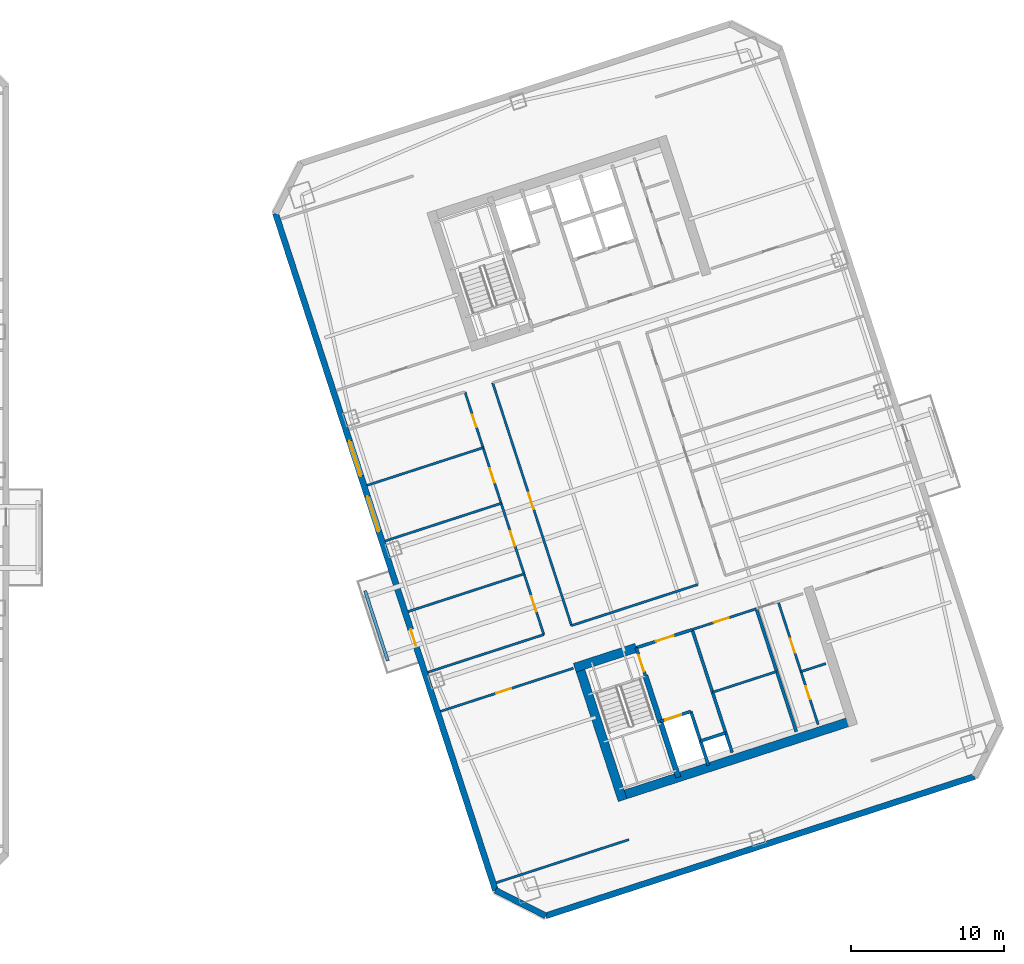
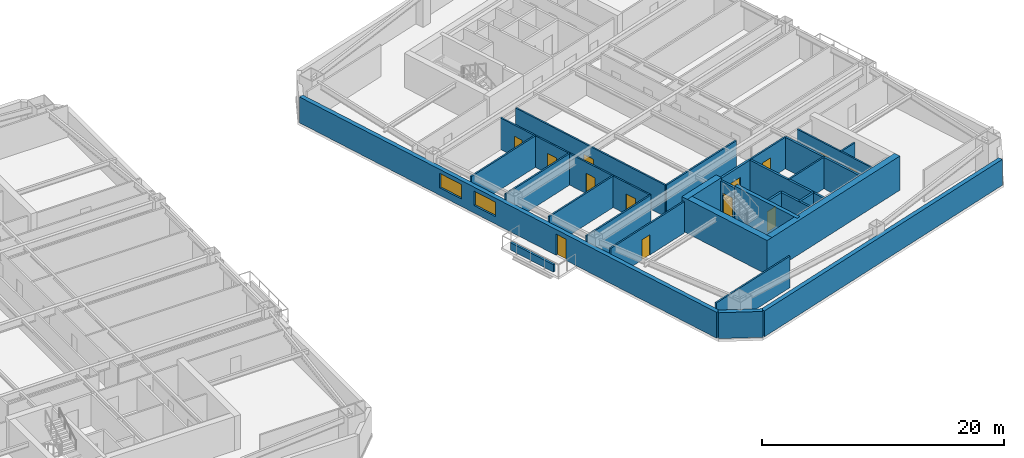
# One storey, part 7 of 14: 28 walls, 13 doors, 2 windows, 15 openings.
"""IFC4 building model written with IfcOpenShell, lengths in metres."""

from ifc_helpers import new_model, si_unit, direction, frame, frame_2d, origin, place, context, subcontext, project, spatial, rectangle, extrude, material, layer, layer_set, type_object, element, fill, save


model = new_model("IFC4")

# Units and contexts
model_context = context("Model", 3, precision=1e-05, world=origin(), true_north=direction((0.0, 1.0)))
body_context = subcontext(model_context, "Body", "Model", "MODEL_VIEW")
ifc_project = project(units=[si_unit("LENGTHUNIT", "METRE"), si_unit("AREAUNIT", "SQUARE_METRE"), si_unit("VOLUMEUNIT", "CUBIC_METRE"), si_unit("PLANEANGLEUNIT", "RADIAN"), si_unit("MASSUNIT", "GRAM", prefix="KILO")], contexts=[model_context])

# Site, building, storey
site_placement = place(None, origin())
site = spatial("IfcSite", under=ifc_project, at=site_placement, CompositionType="ELEMENT")
building_placement = place(site_placement, origin())
building = spatial("IfcBuilding", under=site, at=building_placement, Name="Qiaolan Cultural Towers", CompositionType="ELEMENT")
storey_placement = place(building_placement, frame((0.0, 0.0, 103.5)))
storey = spatial("IfcBuildingStorey", under=building, at=storey_placement, Name="L26", CompositionType="ELEMENT", Elevation=103.5)

# Walls
ifc_material_1 = material(Name="Concrete C50", Category="concrete")
ifc_layer_1 = layer(ifc_material_1, 0.35009765625)
ifc_layer_set_1 = layer_set([ifc_layer_1], Name="Concrete C50")
wall_type_1 = type_object("IfcWallType", Name="WL-CORE-350", PredefinedType="SHEAR", material=ifc_layer_set_1)
wall_1_placement = place(storey_placement, frame((90.486328125, 20.59423828125, 0.0), z_axis=(0.0, 0.0, 1.0), x_axis=(0.309020428229, -0.951055400562, 0.0)))
element("IfcWall", 1, at=wall_1_placement, inside=storey, type_object=wall_type_1, Name="L26 T2-CS Stair Core Dividing Web", PredefinedType="SHEAR", context=body_context, shape_type="SweptSolid", body=[
    extrude(rectangle(XDim=6.97998046875, YDim=0.35009765625, at=frame_2d((3.489990234375, 0.0))), origin(), (0.0, 0.0, 1.0), 3.449951171875),
])
ifc_material_2 = material(Name="Concrete C55", Category="concrete")
ifc_layer_2 = layer(ifc_material_2, 0.60009765625)
ifc_layer_set_2 = layer_set([ifc_layer_2], Name="Concrete C55")
wall_type_2 = type_object("IfcWallType", Name="WL-CORE-600", PredefinedType="SHEAR", material=ifc_layer_set_2)
wall_2_placement = place(storey_placement, frame((88.6298828125, 12.65185546875, 0.0), z_axis=(0.0, 0.0, 1.0), x_axis=(0.95105714907, 0.309015046886, 0.0)))
element("IfcWall", 2, at=wall_2_placement, inside=storey, type_object=wall_type_2, Name="L26 T2-CS Outer Core Shear Wall", PredefinedType="SHEAR", context=body_context, shape_type="SweptSolid", body=[
    extrude(rectangle(XDim=16.400146484375, YDim=0.60009765625, at=frame_2d((8.2001953125, 0.0))), origin(), (0.0, 0.0, 1.0), 3.449951171875),
])
wall_3_placement = place(storey_placement, frame((86.078369140625, 21.47509765625, 0.0), z_axis=(0.0, 0.0, 1.0), x_axis=(0.309017938678, -0.951056209472, 0.0)))
element("IfcWall", 3, at=wall_3_placement, inside=storey, type_object=wall_type_2, Name="L26 T2-CS West Core Shear Wall", PredefinedType="SHEAR", context=body_context, shape_type="SweptSolid", body=[
    extrude(rectangle(XDim=9.479736328125, YDim=0.60009765625, at=frame_2d((4.73974609375, 0.0))), origin(), (0.0, 0.0, 1.0), 3.449951171875),
])
wall_4_placement = place(storey_placement, frame((85.8857421875, 21.09716796875, 0.0), z_axis=(0.0, 0.0, 1.0), x_axis=(0.951068073652, 0.308981422225, 0.0)))
element("IfcWall", 4, at=wall_4_placement, inside=storey, type_object=wall_type_2, Name="L26 T2-CS Stair Front Shear Wall", PredefinedType="SHEAR", context=body_context, shape_type="SweptSolid", body=[
    extrude(rectangle(XDim=4.22021484375, YDim=0.60009765625, at=frame_2d((2.110107421875, 0.0))), origin(), (0.0, 0.0, 1.0), 3.449951171875),
])

# Wall, openings, door, windows
ifc_material_3 = material(Name="Precast Concrete C50 Honed Stone Pier", Category="masonry")
ifc_layer_3 = layer(ifc_material_3, 0.39990234375)
ifc_layer_set_3 = layer_set([ifc_layer_3], Name="Precast Concrete C50 Honed Stone Pier")
wall_type_3 = type_object("IfcWallType", Name="WL-EXT-PIER-400", PredefinedType="SOLIDWALL", material=ifc_layer_set_3)
wall_5_placement = place(storey_placement, frame((80.7158203125, 6.589599609375, 0.0), z_axis=(0.0, 0.0, 1.0), x_axis=(-0.309017542002, 0.95105633836, 0.0)))
wall_5 = element("IfcWall", 5, at=wall_5_placement, inside=storey, type_object=wall_type_3, Name="L26 East Tower Precast Pier Facade Wall F1", PredefinedType="SOLIDWALL", context=body_context, shape_type="SweptSolid", body=[
    extrude(rectangle(XDim=46.39990234375, YDim=0.39990234375, at=frame_2d((23.199951171875, 0.0))), origin(), (0.0, 0.0, 1.0), 2.610107421875),
])
opening_1_placement = place(wall_5_placement, frame((24.60009765625, 0.0, 0.75)))
opening_1 = element("IfcOpeningElement", 6, at=opening_1_placement, cuts=wall_5, Name="Opening W-02", PredefinedType="OPENING", context=body_context, shape_type="SweptSolid", body=[
    extrude(rectangle(XDim=2.39990234375, YDim=1.4599609375, at=frame_2d((1.199951171875, 0.72998046875))), frame((0.0, 0.2099609375, 0.0), z_axis=(0.0, -1.0, 0.0), x_axis=(1.0, 0.0, 0.0)), (0.0, 0.0, 1.0), 0.419921875),
])
opening_2_placement = place(wall_5_placement, frame((28.39990234375, 0.0, 0.75)))
opening_2 = element("IfcOpeningElement", 7, at=opening_2_placement, cuts=wall_5, Name="Opening W-02", PredefinedType="OPENING", context=body_context, shape_type="SweptSolid", body=[
    extrude(rectangle(XDim=2.39990234375, YDim=1.4599609375, at=frame_2d((1.199951171875, 0.72998046875))), frame((0.0, 0.2099609375, 0.0), z_axis=(0.0, -1.0, 0.0), x_axis=(1.0, 0.0, 0.0)), (0.0, 0.0, 1.0), 0.419921875),
])
opening_3_placement = place(wall_5_placement, frame((16.77001953125, 0.0, 0.0)))
opening_3 = element("IfcOpeningElement", 8, at=opening_3_placement, cuts=wall_5, Name="Opening BD-01", PredefinedType="OPENING", context=body_context, shape_type="SweptSolid", body=[
    extrude(rectangle(XDim=1.10009765625, YDim=2.14990234375, at=frame_2d((0.550048828125, 1.074951171875))), frame((0.0, 0.2099609375, 0.0), z_axis=(0.0, -1.0, 0.0), x_axis=(1.0, 0.0, 0.0)), (0.0, 0.0, 1.0), 0.419921875),
])
ifc_material_4 = material(Name="Thermally Broken Aluminium Glazed Terrace Door", Category="aluminium")
door_type_1 = type_object("IfcDoorType", Name="DR-BAL-1100", OperationType="NOTDEFINED", PredefinedType="DOOR", material=ifc_material_4)
door_1_placement = place(opening_3_placement, origin())
door_1 = element("IfcDoor", 9, at=door_1_placement, inside=storey, type_object=door_type_1, Name="L26 T2 West Tree Balcony Door", OperationType="SINGLE_SWING_LEFT", OverallHeight=2.14990234375, OverallWidth=1.10009765625, PredefinedType="DOOR", context=body_context, shape_type="SweptSolid", body=[
    extrude(rectangle(XDim=1.10009765625, YDim=2.14990234375, at=frame_2d((0.550048828125, 1.074951171875))), frame((0.0, 0.02490234375, 0.0), z_axis=(0.0, -1.0, 0.0), x_axis=(1.0, 0.0, 0.0)), (0.0, 0.0, 1.0), 0.050048828125),
])
fill(opening_3, door_1)
ifc_material_5 = material(Name="Thermally Broken Aluminium Triple Low-E Glazing", Category="aluminium")
window_type = type_object("IfcWindowType", Name="WN-CHIC-2400", PartitioningType="SINGLE_PANEL", PredefinedType="WINDOW", material=ifc_material_5)
window_1_placement = place(opening_1_placement, origin())
window_1 = element("IfcWindow", 10, at=window_1_placement, inside=storey, type_object=window_type, Name="L26 T2 W Chicago Bay Window 1", OverallHeight=1.4599609375, OverallWidth=2.39990234375, PartitioningType="TRIPLE_PANEL_VERTICAL", PredefinedType="WINDOW", context=body_context, shape_type="SweptSolid", body=[
    extrude(rectangle(XDim=2.39990234375, YDim=1.4599609375, at=frame_2d((1.199951171875, 0.72998046875))), frame((0.0, 0.030029296875, 0.0), z_axis=(0.0, -1.0, 0.0), x_axis=(1.0, 0.0, 0.0)), (0.0, 0.0, 1.0), 0.06005859375),
])
fill(opening_1, window_1)
window_2_placement = place(opening_2_placement, origin())
window_2 = element("IfcWindow", 11, at=window_2_placement, inside=storey, type_object=window_type, Name="L26 T2 W Chicago Bay Window 2", OverallHeight=1.4599609375, OverallWidth=2.39990234375, PartitioningType="TRIPLE_PANEL_VERTICAL", PredefinedType="WINDOW", context=body_context, shape_type="SweptSolid", body=[
    extrude(rectangle(XDim=2.39990234375, YDim=1.4599609375, at=frame_2d((1.199951171875, 0.72998046875))), frame((0.0, 0.030029296875, 0.0), z_axis=(0.0, -1.0, 0.0), x_axis=(1.0, 0.0, 0.0)), (0.0, 0.0, 1.0), 0.06005859375),
])
fill(opening_2, window_2)

# Walls
wall_6_placement = place(storey_placement, frame((111.953125, 14.00537109375, 0.0), z_axis=(0.0, 0.0, 1.0), x_axis=(-0.95105505922, -0.309021478754, 0.0)))
element("IfcWall", 12, at=wall_6_placement, inside=storey, type_object=wall_type_3, Name="L26 East Tower Precast Pier Facade Wall F7", PredefinedType="SOLIDWALL", context=body_context, shape_type="SweptSolid", body=[
    extrude(rectangle(XDim=29.39990234375, YDim=0.39990234375, at=frame_2d((14.699951171875, 0.0))), origin(), (0.0, 0.0, 1.0), 2.610107421875),
])
wall_7_placement = place(storey_placement, frame((83.9921875, 4.920166015625, 0.0), z_axis=(0.0, 0.0, 1.0), x_axis=(-0.891001999643, 0.45399937955, 0.0)))
element("IfcWall", 13, at=wall_7_placement, inside=storey, type_object=wall_type_3, Name="L26 East Tower Precast Pier Facade Wall F8", PredefinedType="SOLIDWALL", context=body_context, shape_type="SweptSolid", body=[
    extrude(rectangle(XDim=3.67724609375, YDim=0.39990234375, at=frame_2d((1.838623046875, 0.0))), origin(), (0.0, 0.0, 1.0), 2.610107421875),
])

# Wall, opening, door
ifc_material_6 = material(Name="Concrete C35 Fire Wall", Category="concrete")
ifc_layer_4 = layer(ifc_material_6, 0.199951171875)
ifc_layer_set_4 = layer_set([ifc_layer_4], Name="Concrete C35 Fire Wall")
wall_type_4 = type_object("IfcWallType", Name="WL-FIRE-200", PredefinedType="PARTITIONING", material=ifc_layer_set_4)
wall_8_placement = place(storey_placement, frame((89.8994140625, 22.401123046875, 0.0), z_axis=(0.0, 0.0, 1.0), x_axis=(0.308932062672, -0.951084108086, 0.0)))
wall_8 = element("IfcWall", 14, at=wall_8_placement, inside=storey, type_object=wall_type_4, Name="L26 T2-CS Smokeproof Stair Entry Wall", PredefinedType="PARTITIONING", context=body_context, shape_type="SweptSolid", body=[
    extrude(rectangle(XDim=1.89990234375, YDim=0.199951171875, at=frame_2d((0.949951171875, 0.0))), origin(), (0.0, 0.0, 1.0), 3.175048828125),
])
opening_4_placement = place(wall_8_placement, frame((0.52001953125, 0.0, 0.0)))
opening_4 = element("IfcOpeningElement", 15, at=opening_4_placement, cuts=wall_8, Name="Opening FD-04", PredefinedType="OPENING", context=body_context, shape_type="SweptSolid", body=[
    extrude(rectangle(XDim=1.10009765625, YDim=2.050048828125, at=frame_2d((0.550048828125, 1.02490234375))), frame((0.0, 0.10986328125, 0.0), z_axis=(0.0, -1.0, 0.0), x_axis=(1.0, 0.0, 0.0)), (0.0, 0.0, 1.0), 0.219970703125),
])
ifc_material_7 = material(Name="Galvanized Steel Command Fire Door", Category="steel")
door_type_2 = type_object("IfcDoorType", Name="DR-FD90-1100", OperationType="NOTDEFINED", PredefinedType="DOOR", material=ifc_material_7)
door_2_placement = place(opening_4_placement, origin())
door_2 = element("IfcDoor", 16, at=door_2_placement, inside=storey, type_object=door_type_2, Name="L26 ST-E1 Smokeproof Stair Fire Door", OperationType="SINGLE_SWING_LEFT", OverallHeight=2.050048828125, OverallWidth=1.10009765625, PredefinedType="DOOR", context=body_context, shape_type="SweptSolid", body=[
    extrude(rectangle(XDim=1.10009765625, YDim=2.050048828125, at=frame_2d((0.550048828125, 1.02490234375))), frame((0.0, 0.02490234375, 0.0), z_axis=(0.0, -1.0, 0.0), x_axis=(1.0, 0.0, 0.0)), (0.0, 0.0, 1.0), 0.050048828125),
])
fill(opening_4, door_2)

# Wall
wall_9_placement = place(storey_placement, frame((93.541748046875, 23.584716796875, 0.0), z_axis=(0.0, 0.0, 1.0), x_axis=(0.309042196757, -0.951048327176, 0.0)))
element("IfcWall", 17, at=wall_9_placement, inside=storey, type_object=wall_type_4, Name="L26 T2-CS Firefighting Zone Wall", PredefinedType="PARTITIONING", context=body_context, shape_type="SweptSolid", body=[
    extrude(rectangle(XDim=8.429931640625, YDim=0.199951171875, at=frame_2d((4.21484375, 0.0))), origin(), (0.0, 0.0, 1.0), 3.175048828125),
])

# Wall, opening, door
wall_10_placement = place(storey_placement, frame((89.8994140625, 22.401123046875, 0.0), z_axis=(0.0, 0.0, 1.0), x_axis=(0.951046716504, 0.309047153403, 0.0)))
wall_10 = element("IfcWall", 18, at=wall_10_placement, inside=storey, type_object=wall_type_4, Name="L26 T2-CS Firefighting Lobby Front Wall", PredefinedType="PARTITIONING", context=body_context, shape_type="SweptSolid", body=[
    extrude(rectangle(XDim=3.829833984375, YDim=0.199951171875, at=frame_2d((1.9150390625, 0.0))), origin(), (0.0, 0.0, 1.0), 3.175048828125),
])
opening_5_placement = place(wall_10_placement, frame((1.35009765625, 0.0, 0.0)))
opening_5 = element("IfcOpeningElement", 19, at=opening_5_placement, cuts=wall_10, Name="Opening FD-03", PredefinedType="OPENING", context=body_context, shape_type="SweptSolid", body=[
    extrude(rectangle(XDim=1.199951171875, YDim=2.050048828125, at=frame_2d((0.60009765625, 1.02490234375))), frame((0.0, 0.10986328125, 0.0), z_axis=(0.0, -1.0, 0.0), x_axis=(1.0, 0.0, 0.0)), (0.0, 0.0, 1.0), 0.219970703125),
])
ifc_material_8 = material(Name="Galvanized Steel Smokeproof Lobby Fire Door", Category="steel")
door_type_3 = type_object("IfcDoorType", Name="DR-FD90-1200", OperationType="NOTDEFINED", PredefinedType="DOOR", material=ifc_material_8)
door_3_placement = place(opening_5_placement, origin())
door_3 = element("IfcDoor", 20, at=door_3_placement, inside=storey, type_object=door_type_3, Name="L26 FFL-E1 Firefighting Lobby Fire Door", OperationType="SINGLE_SWING_LEFT", OverallHeight=2.050048828125, OverallWidth=1.199951171875, PredefinedType="DOOR", context=body_context, shape_type="SweptSolid", body=[
    extrude(rectangle(XDim=1.199951171875, YDim=2.050048828125, at=frame_2d((0.60009765625, 1.02490234375))), frame((0.0, 0.02490234375, 0.0), z_axis=(0.0, -1.0, 0.0), x_axis=(1.0, 0.0, 0.0)), (0.0, 0.0, 1.0), 0.050048828125),
])
fill(opening_5, door_3)

wall_11_placement = place(storey_placement, frame((91.459716796875, 17.598388671875, 0.0), z_axis=(0.0, 0.0, 1.0), x_axis=(0.951062257173, 0.308999325213, 0.0)))
wall_11 = element("IfcWall", 21, at=wall_11_placement, inside=storey, type_object=wall_type_4, Name="L26 T2-CS Firefighting Shaft Front Wall", PredefinedType="PARTITIONING", context=body_context, shape_type="SweptSolid", body=[
    extrude(rectangle(XDim=2.10009765625, YDim=0.199951171875, at=frame_2d((1.050048828125, 0.0))), origin(), (0.0, 0.0, 1.0), 3.175048828125),
])
opening_6_placement = place(wall_11_placement, frame((0.35009765625, 0.0, 0.0)))
opening_6 = element("IfcOpeningElement", 22, at=opening_6_placement, cuts=wall_11, Name="Opening LD-01", PredefinedType="OPENING", context=body_context, shape_type="SweptSolid", body=[
    extrude(rectangle(XDim=1.10009765625, YDim=2.050048828125, at=frame_2d((0.550048828125, 1.02490234375))), frame((0.0, 0.10986328125, 0.0), z_axis=(0.0, -1.0, 0.0), x_axis=(1.0, 0.0, 0.0)), (0.0, 0.0, 1.0), 0.219970703125),
])
ifc_material_9 = material(Name="Brushed Stainless Steel S30408 Centre-Parting Lift Landing Door", Category="steel")
door_type_4 = type_object("IfcDoorType", Name="DR-LIFT-1100", OperationType="NOTDEFINED", PredefinedType="DOOR", material=ifc_material_9)
door_4_placement = place(opening_6_placement, origin())
door_4 = element("IfcDoor", 23, at=door_4_placement, inside=storey, type_object=door_type_4, Name="L26 FFL-E1 Firefighting Lift Landing Door", OperationType="DOUBLE_DOOR_SLIDING", OverallHeight=2.050048828125, OverallWidth=1.10009765625, PredefinedType="DOOR", context=body_context, shape_type="SweptSolid", body=[
    extrude(rectangle(XDim=1.10009765625, YDim=2.050048828125, at=frame_2d((0.550048828125, 1.02490234375))), frame((0.0, 0.02490234375, 0.0), z_axis=(0.0, -1.0, 0.0), x_axis=(1.0, 0.0, 0.0)), (0.0, 0.0, 1.0), 0.050048828125),
])
fill(opening_6, door_4)

# Walls
wall_12_placement = place(storey_placement, frame((93.45703125, 18.247314453125, 0.0), z_axis=(0.0, 0.0, 1.0), x_axis=(0.3089935693, -0.951064127245, 0.0)))
element("IfcWall", 24, at=wall_12_placement, inside=storey, type_object=wall_type_4, Name="L26 T2-CS Firefighting Hoistway East Wall", PredefinedType="PARTITIONING", context=body_context, shape_type="SweptSolid", body=[
    extrude(rectangle(XDim=3.7001953125, YDim=0.199951171875, at=frame_2d((1.85009765625, 0.0))), origin(), (0.0, 0.0, 1.0), 3.175048828125),
])
wall_13_placement = place(storey_placement, frame((94.08447265625, 16.316650390625, 0.0), z_axis=(0.0, 0.0, 1.0), x_axis=(0.951041328149, 0.309063734775, 0.0)))
element("IfcWall", 25, at=wall_13_placement, inside=storey, type_object=wall_type_4, Name="L26 T2-CS Pressurization Shaft Front Wall", PredefinedType="PARTITIONING", context=body_context, shape_type="SweptSolid", body=[
    extrude(rectangle(XDim=1.72998046875, YDim=0.199951171875, at=frame_2d((0.864990234375, 0.0))), origin(), (0.0, 0.0, 1.0), 3.175048828125),
])
wall_14_placement = place(storey_placement, frame((97.7265625, 24.9443359375, 0.0), z_axis=(0.0, 0.0, 1.0), x_axis=(0.309016001439, -0.951056838919, 0.0)))
element("IfcWall", 26, at=wall_14_placement, inside=storey, type_object=wall_type_4, Name="L26 T2-CS Lift Core East Wall", PredefinedType="PARTITIONING", context=body_context, shape_type="SweptSolid", body=[
    extrude(rectangle(XDim=8.429931640625, YDim=0.199951171875, at=frame_2d((4.21484375, 0.0))), origin(), (0.0, 0.0, 1.0), 3.175048828125),
])

# Wall, opening, door
ifc_material_10 = material(Name="Autoclaved Aerated Concrete Block B06", Category="concrete")
ifc_layer_5 = layer(ifc_material_10, 0.14990234375)
ifc_layer_set_5 = layer_set([ifc_layer_5], Name="Autoclaved Aerated Concrete Block B06")
wall_type_5 = type_object("IfcWallType", Name="WL-PART-150", PredefinedType="PARTITIONING", material=ifc_layer_set_5)
wall_15_placement = place(storey_placement, frame((93.541748046875, 23.584716796875, 0.0), z_axis=(0.0, 0.0, 1.0), x_axis=(0.951063829732, 0.308994485023, 0.0)))
wall_15 = element("IfcWall", 27, at=wall_15_placement, inside=storey, type_object=wall_type_5, Name="L26 T2-CS Reclaimed Core Room Front Wall", PredefinedType="PARTITIONING", context=body_context, shape_type="SweptSolid", body=[
    extrude(rectangle(XDim=4.400146484375, YDim=0.14990234375, at=frame_2d((2.2001953125, 0.0))), origin(), (0.0, 0.0, 1.0), 3.175048828125),
])
opening_7_placement = place(wall_15_placement, frame((1.5, 0.0, 0.0)))
opening_7 = element("IfcOpeningElement", 28, at=opening_7_placement, cuts=wall_15, Name="Opening ID-04", PredefinedType="OPENING", context=body_context, shape_type="SweptSolid", body=[
    extrude(rectangle(XDim=1.0, YDim=2.050048828125, at=frame_2d((0.5, 1.02490234375))), frame((0.0, 0.0849609375, 0.0), z_axis=(0.0, -1.0, 0.0), x_axis=(1.0, 0.0, 0.0)), (0.0, 0.0, 1.0), 0.169921875),
])
ifc_material_11 = material(Name="Oak Veneer Acoustic Office Door", Category="timber")
door_type_5 = type_object("IfcDoorType", Name="DR-INT-1000", OperationType="NOTDEFINED", PredefinedType="DOOR", material=ifc_material_11)
door_5_placement = place(opening_7_placement, origin())
door_5 = element("IfcDoor", 29, at=door_5_placement, inside=storey, type_object=door_type_5, Name="L26 Focus Pod Room Door", OperationType="SINGLE_SWING_LEFT", OverallHeight=2.050048828125, OverallWidth=1.0, PredefinedType="DOOR", context=body_context, shape_type="SweptSolid", body=[
    extrude(rectangle(XDim=1.0, YDim=2.050048828125, at=frame_2d((0.5, 1.02490234375))), frame((0.0, 0.02490234375, 0.0), z_axis=(0.0, -1.0, 0.0), x_axis=(1.0, 0.0, 0.0)), (0.0, 0.0, 1.0), 0.050048828125),
])
fill(opening_7, door_5)

# Wall
wall_16_placement = place(storey_placement, frame((94.87060546875, 19.4951171875, 0.0), z_axis=(0.0, 0.0, 1.0), x_axis=(0.951042223598, 0.309060979314, 0.0)))
element("IfcWall", 30, at=wall_16_placement, inside=storey, type_object=wall_type_5, Name="L26 T2-CS Reclaimed Room Subdivider", PredefinedType="PARTITIONING", context=body_context, shape_type="SweptSolid", body=[
    extrude(rectangle(XDim=4.39990234375, YDim=0.14990234375, at=frame_2d((2.199951171875, 0.0))), origin(), (0.0, 0.0, 1.0), 3.175048828125),
])

# Wall, openings, doors
wall_17_placement = place(storey_placement, frame((99.153076171875, 25.407958984375, 0.0), z_axis=(0.0, 0.0, 1.0), x_axis=(0.309016001439, -0.951056838919, 0.0)))
wall_17 = element("IfcWall", 31, at=wall_17_placement, inside=storey, type_object=wall_type_5, Name="L26 T2-CS Washroom Split Wall", PredefinedType="PARTITIONING", context=body_context, shape_type="SweptSolid", body=[
    extrude(rectangle(XDim=8.429931640625, YDim=0.14990234375, at=frame_2d((4.21484375, 0.0))), origin(), (0.0, 0.0, 1.0), 3.175048828125),
])
opening_8_placement = place(wall_17_placement, frame((2.550048828125, 0.0, 0.0)))
opening_8 = element("IfcOpeningElement", 32, at=opening_8_placement, cuts=wall_17, Name="Opening ID-05", PredefinedType="OPENING", context=body_context, shape_type="SweptSolid", body=[
    extrude(rectangle(XDim=0.949951171875, YDim=2.050048828125, at=frame_2d((0.47509765625, 1.02490234375))), frame((0.0, 0.0849609375, 0.0), z_axis=(0.0, -1.0, 0.0), x_axis=(1.0, 0.0, 0.0)), (0.0, 0.0, 1.0), 0.169921875),
])
opening_9_placement = place(wall_17_placement, frame((5.800048828125, 0.0, 0.0)))
opening_9 = element("IfcOpeningElement", 33, at=opening_9_placement, cuts=wall_17, Name="Opening ID-06", PredefinedType="OPENING", context=body_context, shape_type="SweptSolid", body=[
    extrude(rectangle(XDim=0.89990234375, YDim=2.050048828125, at=frame_2d((0.449951171875, 1.02490234375))), frame((0.0, 0.0849609375, 0.0), z_axis=(0.0, -1.0, 0.0), x_axis=(1.0, 0.0, 0.0)), (0.0, 0.0, 1.0), 0.169921875),
])
ifc_material_12 = material(Name="Fire-Rated Laminate Core Service Door", Category="timber")
door_type_6 = type_object("IfcDoorType", Name="DR-INT-900", OperationType="NOTDEFINED", PredefinedType="DOOR", material=ifc_material_12)
door_6_placement = place(opening_9_placement, origin())
door_6 = element("IfcDoor", 34, at=door_6_placement, inside=storey, type_object=door_type_6, Name="L26 First-Aid Room Door", OperationType="SINGLE_SWING_RIGHT", OverallHeight=2.050048828125, OverallWidth=0.89990234375, PredefinedType="DOOR", context=body_context, shape_type="SweptSolid", body=[
    extrude(rectangle(XDim=0.89990234375, YDim=2.050048828125, at=frame_2d((0.449951171875, 1.02490234375))), frame((0.0, 0.02490234375, 0.0), z_axis=(0.0, -1.0, 0.0), x_axis=(1.0, 0.0, 0.0)), (0.0, 0.0, 1.0), 0.050048828125),
])
fill(opening_9, door_6)
ifc_material_13 = material(Name="Fire-Rated Laminate Accessible Core Door", Category="timber")
door_type_7 = type_object("IfcDoorType", Name="DR-INT-950", OperationType="NOTDEFINED", PredefinedType="DOOR", material=ifc_material_13)
door_7_placement = place(opening_8_placement, origin())
door_7 = element("IfcDoor", 35, at=door_7_placement, inside=storey, type_object=door_type_7, Name="L26 Accessible Washroom Door", OperationType="SINGLE_SWING_LEFT", OverallHeight=2.050048828125, OverallWidth=0.949951171875, PredefinedType="DOOR", context=body_context, shape_type="SweptSolid", body=[
    extrude(rectangle(XDim=0.949951171875, YDim=2.050048828125, at=frame_2d((0.47509765625, 1.02490234375))), frame((0.0, 0.02490234375, 0.0), z_axis=(0.0, -1.0, 0.0), x_axis=(1.0, 0.0, 0.0)), (0.0, 0.0, 1.0), 0.050048828125),
])
fill(opening_8, door_7)

# Walls
wall_18_placement = place(storey_placement, frame((100.636474609375, 20.8427734375, 0.0), z_axis=(0.0, 0.0, 1.0), x_axis=(0.951040401051, 0.309066587596, 0.0)))
element("IfcWall", 36, at=wall_18_placement, inside=storey, type_object=wall_type_5, Name="L26 T2-CS First-Aid Wall", PredefinedType="PARTITIONING", context=body_context, shape_type="SweptSolid", body=[
    extrude(rectangle(XDim=1.699951171875, YDim=0.14990234375, at=frame_2d((0.85009765625, 0.0))), origin(), (0.0, 0.0, 1.0), 3.175048828125),
])
wall_19_placement = place(storey_placement, frame((80.76708984375, 7.079345703125, 0.0), z_axis=(0.0, 0.0, 1.0), x_axis=(0.951057133767, 0.309015093986, 0.0)))
element("IfcWall", 37, at=wall_19_placement, inside=storey, type_object=wall_type_5, Name="L26 T2 Flank Wall FLK-SW", PredefinedType="PARTITIONING", context=body_context, shape_type="SweptSolid", body=[
    extrude(rectangle(XDim=9.099853515625, YDim=0.14990234375, at=frame_2d((4.5498046875, 0.0))), origin(), (0.0, 0.0, 1.0), 3.175048828125),
])

# Wall, opening, door
wall_20_placement = place(storey_placement, frame((77.13623046875, 18.254150390625, 0.0), z_axis=(0.0, 0.0, 1.0), x_axis=(0.951057133767, 0.309015093986, 0.0)))
wall_20 = element("IfcWall", 38, at=wall_20_placement, inside=storey, type_object=wall_type_5, Name="L26 T2 Flank Front FLK-SW", PredefinedType="PARTITIONING", context=body_context, shape_type="SweptSolid", body=[
    extrude(rectangle(XDim=9.099853515625, YDim=0.14990234375, at=frame_2d((4.5498046875, 0.0))), origin(), (0.0, 0.0, 1.0), 3.175048828125),
])
opening_10_placement = place(wall_20_placement, frame((3.822021484375, 0.0, 0.0)))
opening_10 = element("IfcOpeningElement", 39, at=opening_10_placement, cuts=wall_20, Name="Opening ID-04", PredefinedType="OPENING", context=body_context, shape_type="SweptSolid", body=[
    extrude(rectangle(XDim=1.0, YDim=2.050048828125, at=frame_2d((0.5, 1.02490234375))), frame((0.0, 0.0849609375, 0.0), z_axis=(0.0, -1.0, 0.0), x_axis=(1.0, 0.0, 0.0)), (0.0, 0.0, 1.0), 0.169921875),
])
door_8_placement = place(opening_10_placement, origin())
door_8 = element("IfcDoor", 40, at=door_8_placement, inside=storey, type_object=door_type_5, Name="L26 T2 Corner Studio Door", OperationType="SINGLE_SWING_LEFT", OverallHeight=2.050048828125, OverallWidth=1.0, PredefinedType="DOOR", context=body_context, shape_type="SweptSolid", body=[
    extrude(rectangle(XDim=1.0, YDim=2.050048828125, at=frame_2d((0.5, 1.02490234375))), frame((0.0, 0.02490234375, 0.0), z_axis=(0.0, -1.0, 0.0), x_axis=(1.0, 0.0, 0.0)), (0.0, 0.0, 1.0), 0.050048828125),
])
fill(opening_10, door_8)

# Walls
wall_21_placement = place(storey_placement, frame((76.307861328125, 20.802978515625, 0.0), z_axis=(0.0, 0.0, 1.0), x_axis=(0.95105437725, 0.3090235776, 0.0)))
element("IfcWall", 41, at=wall_21_placement, inside=storey, type_object=wall_type_5, Name="L26 T2 Interior Wall", PredefinedType="PARTITIONING", context=body_context, shape_type="SweptSolid", body=[
    extrude(rectangle(XDim=7.9501953125, YDim=0.14990234375, at=frame_2d((3.97509765625, 0.0))), origin(), (0.0, 0.0, 1.0), 3.175048828125),
])
wall_22_placement = place(storey_placement, frame((85.67578125, 23.846923828125, 0.0), z_axis=(0.0, 0.0, 1.0), x_axis=(0.951063309554, 0.308996086091, 0.0)))
element("IfcWall", 42, at=wall_22_placement, inside=storey, type_object=wall_type_5, Name="L26 T2 Interior Wall", PredefinedType="PARTITIONING", context=body_context, shape_type="SweptSolid", body=[
    extrude(rectangle(XDim=8.650146484375, YDim=0.14990234375, at=frame_2d((4.3251953125, 0.0))), origin(), (0.0, 0.0, 1.0), 3.175048828125),
])

# Wall, openings, doors
wall_23_placement = place(storey_placement, frame((83.868896484375, 23.259765625, 0.0), z_axis=(0.0, 0.0, 1.0), x_axis=(-0.309022042254, 0.951054876125, 0.0)))
wall_23 = element("IfcWall", 43, at=wall_23_placement, inside=storey, type_object=wall_type_5, Name="L26 T2 Interior Wall", PredefinedType="PARTITIONING", context=body_context, shape_type="SweptSolid", body=[
    extrude(rectangle(XDim=16.639892578125, YDim=0.14990234375, at=frame_2d((8.31982421875, 0.0))), origin(), (0.0, 0.0, 1.0), 3.175048828125),
])
opening_11_placement = place(wall_23_placement, frame((1.580078125, 0.0, 0.0)))
opening_11 = element("IfcOpeningElement", 44, at=opening_11_placement, cuts=wall_23, Name="Opening ID-07", PredefinedType="OPENING", context=body_context, shape_type="SweptSolid", body=[
    extrude(rectangle(XDim=1.050048828125, YDim=2.050048828125, at=frame_2d((0.52490234375, 1.02490234375))), frame((0.0, 0.0849609375, 0.0), z_axis=(0.0, -1.0, 0.0), x_axis=(1.0, 0.0, 0.0)), (0.0, 0.0, 1.0), 0.169921875),
])
opening_12_placement = place(wall_23_placement, frame((6.080078125, 0.0, 0.0)))
opening_12 = element("IfcOpeningElement", 45, at=opening_12_placement, cuts=wall_23, Name="Opening ID-04", PredefinedType="OPENING", context=body_context, shape_type="SweptSolid", body=[
    extrude(rectangle(XDim=1.0, YDim=2.050048828125, at=frame_2d((0.5, 1.02490234375))), frame((0.0, 0.0849609375, 0.0), z_axis=(0.0, -1.0, 0.0), x_axis=(1.0, 0.0, 0.0)), (0.0, 0.0, 1.0), 0.169921875),
])
opening_13_placement = place(wall_23_placement, frame((10.406494140625, 0.0, 0.0)))
opening_13 = element("IfcOpeningElement", 46, at=opening_13_placement, cuts=wall_23, Name="Opening ID-04", PredefinedType="OPENING", context=body_context, shape_type="SweptSolid", body=[
    extrude(rectangle(XDim=1.0, YDim=2.050048828125, at=frame_2d((0.5, 1.02490234375))), frame((0.0, 0.0849609375, 0.0), z_axis=(0.0, -1.0, 0.0), x_axis=(1.0, 0.0, 0.0)), (0.0, 0.0, 1.0), 0.169921875),
])
opening_14_placement = place(wall_23_placement, frame((14.226318359375, 0.0, 0.0)))
opening_14 = element("IfcOpeningElement", 47, at=opening_14_placement, cuts=wall_23, Name="Opening ID-09", PredefinedType="OPENING", context=body_context, shape_type="SweptSolid", body=[
    extrude(rectangle(XDim=0.85009765625, YDim=2.050048828125, at=frame_2d((0.425048828125, 1.02490234375))), frame((0.0, 0.0849609375, 0.0), z_axis=(0.0, -1.0, 0.0), x_axis=(1.0, 0.0, 0.0)), (0.0, 0.0, 1.0), 0.169921875),
])
door_9_placement = place(opening_12_placement, origin())
door_9 = element("IfcDoor", 48, at=door_9_placement, inside=storey, type_object=door_type_5, Name="L26 T2 Rare Books Reading Room Door", OperationType="SINGLE_SWING_RIGHT", OverallHeight=2.050048828125, OverallWidth=1.0, PredefinedType="DOOR", context=body_context, shape_type="SweptSolid", body=[
    extrude(rectangle(XDim=1.0, YDim=2.050048828125, at=frame_2d((0.5, 1.02490234375))), frame((0.0, 0.02490234375, 0.0), z_axis=(0.0, -1.0, 0.0), x_axis=(1.0, 0.0, 0.0)), (0.0, 0.0, 1.0), 0.050048828125),
])
fill(opening_12, door_9)
door_10_placement = place(opening_13_placement, origin())
door_10 = element("IfcDoor", 49, at=door_10_placement, inside=storey, type_object=door_type_5, Name="L26 T2 Rare Books Reading Room Door", OperationType="SINGLE_SWING_LEFT", OverallHeight=2.050048828125, OverallWidth=1.0, PredefinedType="DOOR", context=body_context, shape_type="SweptSolid", body=[
    extrude(rectangle(XDim=1.0, YDim=2.050048828125, at=frame_2d((0.5, 1.02490234375))), frame((0.0, 0.02490234375, 0.0), z_axis=(0.0, -1.0, 0.0), x_axis=(1.0, 0.0, 0.0)), (0.0, 0.0, 1.0), 0.050048828125),
])
fill(opening_13, door_10)
ifc_material_14 = material(Name="Oak Veneer Consultation Door", Category="timber")
door_type_8 = type_object("IfcDoorType", Name="DR-INT-1050", OperationType="NOTDEFINED", PredefinedType="DOOR", material=ifc_material_14)
door_11_placement = place(opening_11_placement, origin())
door_11 = element("IfcDoor", 50, at=door_11_placement, inside=storey, type_object=door_type_8, Name="L26 T2 Rare Books Reading Room Door", OperationType="SINGLE_SWING_LEFT", OverallHeight=2.050048828125, OverallWidth=1.050048828125, PredefinedType="DOOR", context=body_context, shape_type="SweptSolid", body=[
    extrude(rectangle(XDim=1.050048828125, YDim=2.050048828125, at=frame_2d((0.52490234375, 1.02490234375))), frame((0.0, 0.02490234375, 0.0), z_axis=(0.0, -1.0, 0.0), x_axis=(1.0, 0.0, 0.0)), (0.0, 0.0, 1.0), 0.050048828125),
])
fill(opening_11, door_11)
ifc_material_15 = material(Name="Moisture-Resistant Laminate Utility Door", Category="timber")
door_type_9 = type_object("IfcDoorType", Name="DR-INT-850", OperationType="NOTDEFINED", PredefinedType="DOOR", material=ifc_material_15)
door_12_placement = place(opening_14_placement, origin())
door_12 = element("IfcDoor", 51, at=door_12_placement, inside=storey, type_object=door_type_9, Name="L26 T2 Manuscript Salon Door", OperationType="SINGLE_SWING_RIGHT", OverallHeight=2.050048828125, OverallWidth=0.85009765625, PredefinedType="DOOR", context=body_context, shape_type="SweptSolid", body=[
    extrude(rectangle(XDim=0.85009765625, YDim=2.050048828125, at=frame_2d((0.425048828125, 1.02490234375))), frame((0.0, 0.02490234375, 0.0), z_axis=(0.0, -1.0, 0.0), x_axis=(1.0, 0.0, 0.0)), (0.0, 0.0, 1.0), 0.050048828125),
])
fill(opening_14, door_12)

# Wall, opening, door
wall_24_placement = place(storey_placement, frame((85.67578125, 23.846923828125, 0.0), z_axis=(0.0, 0.0, 1.0), x_axis=(-0.309008771245, 0.951059188113, 0.0)))
wall_24 = element("IfcWall", 52, at=wall_24_placement, inside=storey, type_object=wall_type_5, Name="L26 T2 Interior Wall", PredefinedType="PARTITIONING", context=body_context, shape_type="SweptSolid", body=[
    extrude(rectangle(XDim=16.639892578125, YDim=0.14990234375, at=frame_2d((8.31982421875, 0.0))), origin(), (0.0, 0.0, 1.0), 3.175048828125),
])
opening_15_placement = place(wall_24_placement, frame((7.9873046875, 0.0, 0.0)))
opening_15 = element("IfcOpeningElement", 53, at=opening_15_placement, cuts=wall_24, Name="Opening ID-03", PredefinedType="OPENING", context=body_context, shape_type="SweptSolid", body=[
    extrude(rectangle(XDim=1.10009765625, YDim=2.050048828125, at=frame_2d((0.550048828125, 1.02490234375))), frame((0.0, 0.0849609375, 0.0), z_axis=(0.0, -1.0, 0.0), x_axis=(1.0, 0.0, 0.0)), (0.0, 0.0, 1.0), 0.169921875),
])
ifc_material_16 = material(Name="Oak Veneer Solid-Core Boardroom Door", Category="timber")
door_type_10 = type_object("IfcDoorType", Name="DR-INT-1100", OperationType="NOTDEFINED", PredefinedType="DOOR", material=ifc_material_16)
door_13_placement = place(opening_15_placement, origin())
door_13 = element("IfcDoor", 54, at=door_13_placement, inside=storey, type_object=door_type_10, Name="L26 T2 Central Colloquium Hall Door", OperationType="SINGLE_SWING_LEFT", OverallHeight=2.050048828125, OverallWidth=1.10009765625, PredefinedType="DOOR", context=body_context, shape_type="SweptSolid", body=[
    extrude(rectangle(XDim=1.10009765625, YDim=2.050048828125, at=frame_2d((0.550048828125, 1.02490234375))), frame((0.0, 0.02490234375, 0.0), z_axis=(0.0, -1.0, 0.0), x_axis=(1.0, 0.0, 0.0)), (0.0, 0.0, 1.0), 0.050048828125),
])
fill(opening_15, door_13)

# Walls
for number, where, z_axis, x_axis, name in (
    (55, (75.0224609375, 24.759521484375, 0.0), (0.0, 0.0, 1.0), (0.951060470027, 0.309004825775, 0.0), "L26 T2 Interior Wall"),
    (56, (73.52685546875, 29.362548828125, 0.0), (0.0, 0.0, 1.0), (0.951060470027, 0.309004825775, 0.0), "L26 T2 Interior Wall"),
    (57, (72.3486328125, 32.98876953125, 0.0), (0.0, 0.0, 1.0), (0.951060470027, 0.309004825775, 0.0), "L26 T2 Interior Wall"),
):
    element("IfcWall", number, at=place(storey_placement, frame(where, z_axis=z_axis, x_axis=x_axis)), inside=storey, type_object=wall_type_5, Name=name, PredefinedType="PARTITIONING", context=body_context, shape_type="SweptSolid", body=[
        extrude(rectangle(XDim=7.949951171875, YDim=0.14990234375, at=frame_2d((3.97509765625, 0.0))), origin(), (0.0, 0.0, 1.0), 3.175048828125),
    ])
ifc_material_17 = material(Name="Precast Concrete C45 Tree Planter Upstand", Category="concrete")
ifc_layer_6 = layer(ifc_material_17, 0.199951171875)
ifc_layer_set_6 = layer_set([ifc_layer_6], Name="Precast Concrete C45 Tree Planter Upstand")
wall_type_6 = type_object("IfcWallType", Name="WL-PLANTER-200", PredefinedType="PARAPET", material=ifc_layer_set_6)
wall_25_placement = place(storey_placement, frame((73.698486328125, 21.55322265625, 0.0), z_axis=(0.0, 0.0, 1.0), x_axis=(-0.309032019345, 0.951051634255, 0.0)))
element("IfcWall", 58, at=wall_25_placement, inside=storey, type_object=wall_type_6, Name="L26 T2 Tree Balcony Soil Planter Box W", PredefinedType="PARAPET", context=body_context, shape_type="SweptSolid", body=[
    extrude(rectangle(XDim=4.800048828125, YDim=0.199951171875, at=frame_2d((2.39990234375, 0.0))), origin(), (0.0, 0.0, 1.0), 0.75),
])

save(model, "model.ifc")
